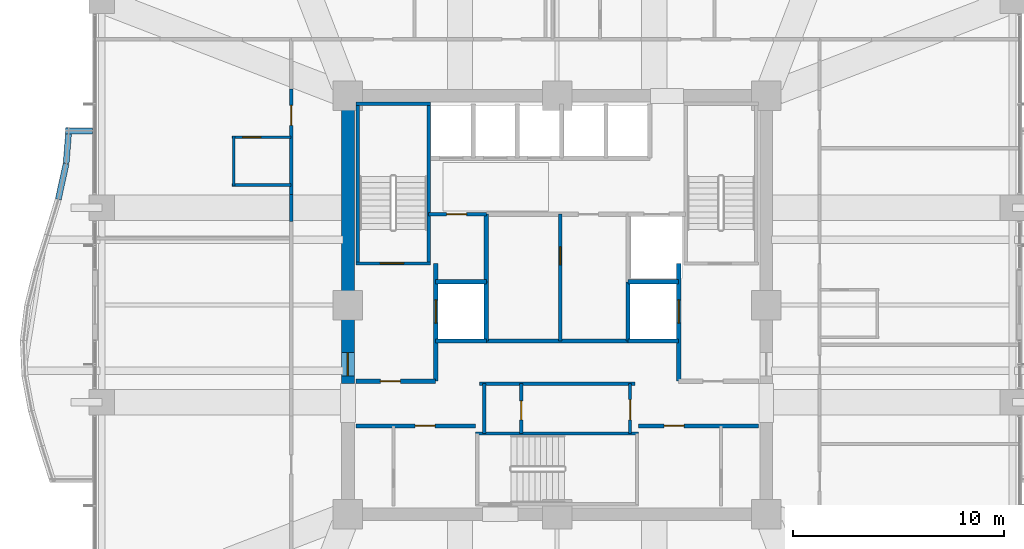
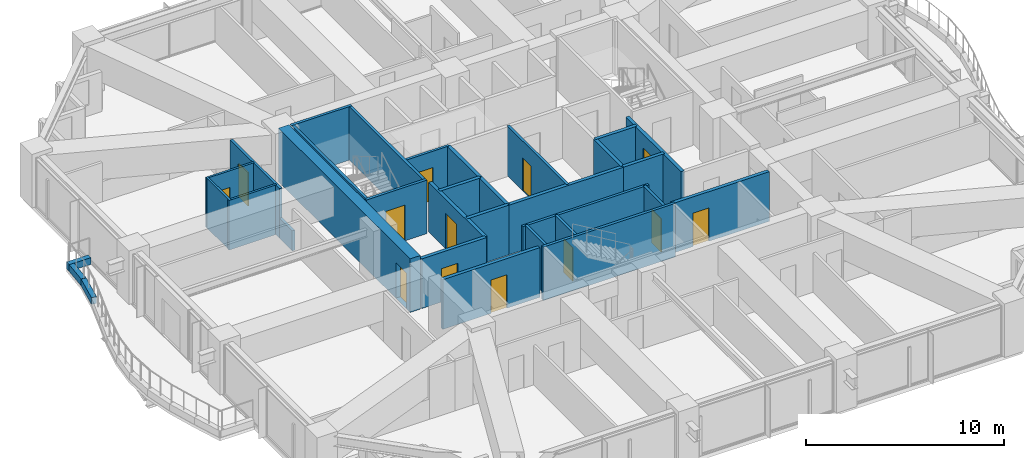
# One storey, part 34 of 39: 33 walls, 13 doors, 13 openings.
"""IFC4 building model written with IfcOpenShell, lengths in metres."""

from ifc_helpers import new_model, si_unit, direction, frame, frame_2d, origin, place, context, subcontext, project, spatial, rectangle, extrude, material, layer, layer_set, type_object, element, fill, save


model = new_model("IFC4")

# Units and contexts
model_context = context("Model", 3, precision=1e-05, world=origin(), true_north=direction((0.0, 1.0)))
body_context = subcontext(model_context, "Body", "Model", "MODEL_VIEW")
ifc_project = project(units=[si_unit("LENGTHUNIT", "METRE"), si_unit("AREAUNIT", "SQUARE_METRE"), si_unit("VOLUMEUNIT", "CUBIC_METRE"), si_unit("PLANEANGLEUNIT", "RADIAN"), si_unit("MASSUNIT", "GRAM", prefix="KILO")], contexts=[model_context])

# Site, building, storey
site_placement = place(None, origin())
site = spatial("IfcSite", under=ifc_project, at=site_placement, CompositionType="ELEMENT")
building_placement = place(site_placement, origin())
building = spatial("IfcBuilding", under=site, at=building_placement, Name="Kolvaren Belvedere", CompositionType="ELEMENT")
storey_placement = place(building_placement, frame((0.0, 0.0, 40.300048828125)))
storey = spatial("IfcBuildingStorey", under=building, at=storey_placement, Name="L11", CompositionType="ELEMENT", Elevation=40.300048828125)

# Wall, opening, door
ifc_material_1 = material(Name="Concrete C60/75", Category="concrete")
ifc_layer_1 = layer(ifc_material_1, 0.60009765625)
ifc_layer_set_1 = layer_set([ifc_layer_1], Name="Concrete C60/75")
wall_type_1 = type_object("IfcWallType", Name="CW-CORE-600", PredefinedType="SHEAR", material=ifc_layer_set_1)
wall_1_placement = place(storey_placement, frame((-9.89990234375, -3.699951171875, 0.0), z_axis=(0.0, 0.0, 1.0), x_axis=(0.0, 1.0, 0.0)))
wall_1 = element("IfcWall", 1, at=wall_1_placement, inside=storey, type_object=wall_type_1, Name="L11 West Core Shear Wall 2", PredefinedType="SHEAR", context=body_context, shape_type="SweptSolid", body=[
    extrude(rectangle(XDim=13.300048828125, YDim=0.60009765625, at=frame_2d((6.64990234375, 0.0))), origin(), (0.0, 0.0, 1.0), 3.300048828125),
])
opening_1_placement = place(wall_1_placement, frame((0.35009765625, 0.0, 0.0)))
opening_1 = element("IfcOpeningElement", 2, at=opening_1_placement, cuts=wall_1, Name="Opening D-FD90", PredefinedType="OPENING", context=body_context, shape_type="SweptSolid", body=[
    extrude(rectangle(XDim=1.10009765625, YDim=2.199951171875, at=frame_2d((0.550048828125, 1.10009765625))), frame((0.0, 0.31005859375, 0.0), z_axis=(0.0, -1.0, 0.0), x_axis=(1.0, 0.0, 0.0)), (0.0, 0.0, 1.0), 0.6201171875),
])
ifc_material_2 = material(Name="Painted hollow stainless steel", Category="steel")
door_type_1 = type_object("IfcDoorType", Name="DR-FD90-1100", OperationType="NOTDEFINED", PredefinedType="DOOR", material=ifc_material_2)
door_1_placement = place(opening_1_placement, origin())
door_1 = element("IfcDoor", 3, at=door_1_placement, inside=storey, type_object=door_type_1, Name="L11 West Firefighting Lobby Fire Door", OperationType="SINGLE_SWING_LEFT", OverallHeight=2.199951171875, OverallWidth=1.10009765625, PredefinedType="DOOR", context=body_context, shape_type="SweptSolid", body=[
    extrude(rectangle(XDim=1.10009765625, YDim=2.199951171875, at=frame_2d((0.550048828125, 1.10009765625))), frame((0.0, 0.02490234375, 0.0), z_axis=(0.0, -1.0, 0.0), x_axis=(1.0, 0.0, 0.0)), (0.0, 0.0, 1.0), 0.050048828125),
])
fill(opening_1, door_1)

ifc_material_3 = material(Name="Concrete C50/60", Category="concrete")
ifc_layer_2 = layer(ifc_material_3, 0.159912109375)
ifc_layer_set_2 = layer_set([ifc_layer_2], Name="Concrete C50/60")
wall_type_2 = type_object("IfcWallType", Name="CW-STAIR-160", PredefinedType="SHEAR", material=ifc_layer_set_2)
wall_2_placement = place(storey_placement, frame((-9.52001953125, 1.969970703125, 0.0), z_axis=(0.0, 0.0, 1.0), x_axis=(1.0, 0.0, 0.0)))
wall_2 = element("IfcWall", 4, at=wall_2_placement, inside=storey, type_object=wall_type_2, Name="L11 Stair ST-1 South Shear Wall", PredefinedType="SHEAR", context=body_context, shape_type="SweptSolid", body=[
    extrude(rectangle(XDim=3.52001953125, YDim=0.159912109375, at=frame_2d((1.760009765625, 0.0))), origin(), (0.0, 0.0, 1.0), 3.300048828125),
])
opening_2_placement = place(wall_2_placement, frame((1.14990234375, 0.0, 0.0)))
opening_2 = element("IfcOpeningElement", 5, at=opening_2_placement, cuts=wall_2, Name="Opening D-FD90", PredefinedType="OPENING", context=body_context, shape_type="SweptSolid", body=[
    extrude(rectangle(XDim=1.10009765625, YDim=2.199951171875, at=frame_2d((0.550048828125, 1.10009765625))), frame((0.0, 0.08984375, 0.0), z_axis=(0.0, -1.0, 0.0), x_axis=(1.0, 0.0, 0.0)), (0.0, 0.0, 1.0), 0.179931640625),
])
door_2_placement = place(opening_2_placement, origin())
door_2 = element("IfcDoor", 6, at=door_2_placement, inside=storey, type_object=door_type_1, Name="L11 Stair ST-1 Fire Door", OperationType="SINGLE_SWING_LEFT", OverallHeight=2.199951171875, OverallWidth=1.10009765625, PredefinedType="DOOR", context=body_context, shape_type="SweptSolid", body=[
    extrude(rectangle(XDim=1.10009765625, YDim=2.199951171875, at=frame_2d((0.550048828125, 1.10009765625))), frame((0.0, 0.02490234375, 0.0), z_axis=(0.0, -1.0, 0.0), x_axis=(1.0, 0.0, 0.0)), (0.0, 0.0, 1.0), 0.050048828125),
])
fill(opening_2, door_2)

# Walls
wall_3_placement = place(storey_placement, frame((-9.52001953125, 9.530029296875, 0.0), z_axis=(0.0, 0.0, 1.0), x_axis=(1.0, 0.0, 0.0)))
element("IfcWall", 7, at=wall_3_placement, inside=storey, type_object=wall_type_2, Name="L11 Stair ST-1 North Shear Wall", PredefinedType="SHEAR", context=body_context, shape_type="SweptSolid", body=[
    extrude(rectangle(XDim=3.52001953125, YDim=0.159912109375, at=frame_2d((1.760009765625, 0.0))), origin(), (0.0, 0.0, 1.0), 3.300048828125),
])
for number, where, z_axis, x_axis, name in (
    (8, (-9.429931640625, 1.969970703125, 0.0), (0.0, 0.0, 1.0), (0.0, 1.0, 0.0), "L11 Stair ST-1 West Shear Wall"),
    (9, (-6.080078125, 1.969970703125, 0.0), (0.0, 0.0, 1.0), (0.0, 1.0, 0.0), "L11 Stair ST-1 East Shear Wall"),
):
    element("IfcWall", number, at=place(storey_placement, frame(where, z_axis=z_axis, x_axis=x_axis)), inside=storey, type_object=wall_type_2, Name=name, PredefinedType="SHEAR", context=body_context, shape_type="SweptSolid", body=[
        extrude(rectangle(XDim=7.56005859375, YDim=0.159912109375, at=frame_2d((3.780029296875, 0.0))), origin(), (0.0, 0.0, 1.0), 3.300048828125),
    ])
wall_4_placement = place(storey_placement, frame((-3.860107421875, -6.080078125, 0.0), z_axis=(0.0, 0.0, 1.0), x_axis=(1.0, 0.0, 0.0)))
element("IfcWall", 10, at=wall_4_placement, inside=storey, type_object=wall_type_2, Name="L11 Stair ST-3 North Shear Wall", PredefinedType="SHEAR", context=body_context, shape_type="SweptSolid", body=[
    extrude(rectangle(XDim=7.72021484375, YDim=0.159912109375, at=frame_2d((3.860107421875, 0.0))), origin(), (0.0, 0.0, 1.0), 3.300048828125),
])
ifc_material_4 = material(Name="Gypsum fire-rated partition assembly", Category="gypsum")
ifc_layer_3 = layer(ifc_material_4, 0.14990234375)
ifc_layer_set_3 = layer_set([ifc_layer_3], Name="Gypsum fire-rated partition assembly")
wall_type_3 = type_object("IfcWallType", Name="WL-CORR-150", PredefinedType="PARTITIONING", material=ifc_layer_set_3)
wall_5_placement = place(storey_placement, frame((-12.580078125, 3.9580078125, 0.0), z_axis=(0.0, 0.0, 1.0), x_axis=(0.0, 1.0, 0.0)))
element("IfcWall", 11, at=wall_5_placement, inside=storey, type_object=wall_type_3, Name="L11 West Corridor Wall", PredefinedType="PARTITIONING", context=body_context, shape_type="SweptSolid", body=[
    extrude(rectangle(XDim=1.283935546875, YDim=0.14990234375, at=frame_2d((0.64208984375, 0.0))), origin(), (0.0, 0.0, 1.0), 1.244873046875),
])

# Wall, opening, door
wall_6_placement = place(storey_placement, frame((-12.580078125, 5.241943359375, 0.0), z_axis=(0.0, 0.0, 1.0), x_axis=(0.0, 1.0, 0.0)))
wall_6 = element("IfcWall", 12, at=wall_6_placement, inside=storey, type_object=wall_type_3, Name="L11 West Corridor Wall", PredefinedType="PARTITIONING", context=body_context, shape_type="SweptSolid", body=[
    extrude(rectangle(XDim=4.9736328125, YDim=0.14990234375, at=frame_2d((2.48681640625, 0.0))), origin(), (0.0, 0.0, 1.0), 3.06005859375),
])
opening_3_placement = place(wall_6_placement, frame((3.260009765625, 0.0, 0.0)))
opening_3 = element("IfcOpeningElement", 13, at=opening_3_placement, cuts=wall_6, Name="Opening D-FD60", PredefinedType="OPENING", context=body_context, shape_type="SweptSolid", body=[
    extrude(rectangle(XDim=0.949951171875, YDim=2.06005859375, at=frame_2d((0.47509765625, 1.030029296875))), frame((0.0, 0.0849609375, 0.0), z_axis=(0.0, -1.0, 0.0), x_axis=(1.0, 0.0, 0.0)), (0.0, 0.0, 1.0), 0.169921875),
])
ifc_material_5 = material(Name="Acoustic white-oak fire door leaf", Category="timber")
door_type_2 = type_object("IfcDoorType", Name="DR-FD60-950", OperationType="NOTDEFINED", PredefinedType="DOOR", material=ifc_material_5)
door_3_placement = place(opening_3_placement, origin())
door_3 = element("IfcDoor", 14, at=door_3_placement, inside=storey, type_object=door_type_2, Name="L11 King Guest Room 1111 Entry Door", OperationType="SINGLE_SWING_LEFT", OverallHeight=2.06005859375, OverallWidth=0.949951171875, PredefinedType="DOOR", context=body_context, shape_type="SweptSolid", body=[
    extrude(rectangle(XDim=0.949951171875, YDim=2.06005859375, at=frame_2d((0.47509765625, 1.030029296875))), frame((0.0, 0.02490234375, 0.0), z_axis=(0.0, -1.0, 0.0), x_axis=(1.0, 0.0, 0.0)), (0.0, 0.0, 1.0), 0.050048828125),
])
fill(opening_3, door_3)

ifc_material_6 = material(Name="Gypsum acoustic partition assembly", Category="gypsum")
ifc_layer_4 = layer(ifc_material_6, 0.14990234375)
ifc_layer_set_4 = layer_set([ifc_layer_4], Name="Gypsum acoustic partition assembly")
wall_type_4 = type_object("IfcWallType", Name="WL-PART-150", PredefinedType="PARTITIONING", material=ifc_layer_set_4)
wall_7_placement = place(storey_placement, frame((0.14990234375, -1.699951171875, 0.0), z_axis=(0.0, 0.0, 1.0), x_axis=(0.0, 1.0, 0.0)))
wall_7 = element("IfcWall", 15, at=wall_7_placement, inside=storey, type_object=wall_type_4, Name="L11 Central Core V-Divider", PredefinedType="PARTITIONING", context=body_context, shape_type="SweptSolid", body=[
    extrude(rectangle(XDim=6.0, YDim=0.14990234375, at=frame_2d((3.0, 0.0))), origin(), (0.0, 0.0, 1.0), 3.06005859375),
])
opening_4_placement = place(wall_7_placement, frame((3.60009765625, 0.0, 0.0)))
opening_4 = element("IfcOpeningElement", 16, at=opening_4_placement, cuts=wall_7, Name="Opening D-INT85", PredefinedType="OPENING", context=body_context, shape_type="SweptSolid", body=[
    extrude(rectangle(XDim=0.85009765625, YDim=2.030029296875, at=frame_2d((0.425048828125, 1.01513671875))), frame((0.0, 0.0849609375, 0.0), z_axis=(0.0, -1.0, 0.0), x_axis=(1.0, 0.0, 0.0)), (0.0, 0.0, 1.0), 0.169921875),
])
ifc_material_7 = material(Name="Stained Pacific white oak", Category="timber")
door_type_3 = type_object("IfcDoorType", Name="DR-INT-850", OperationType="NOTDEFINED", PredefinedType="DOOR", material=ifc_material_7)
door_4_placement = place(opening_4_placement, origin())
door_4 = element("IfcDoor", 17, at=door_4_placement, inside=storey, type_object=door_type_3, Name="L11 Central Linen Door", OperationType="SINGLE_SWING_RIGHT", OverallHeight=2.030029296875, OverallWidth=0.85009765625, PredefinedType="DOOR", context=body_context, shape_type="SweptSolid", body=[
    extrude(rectangle(XDim=0.85009765625, YDim=2.030029296875, at=frame_2d((0.425048828125, 1.01513671875))), frame((0.0, 0.02490234375, 0.0), z_axis=(0.0, -1.0, 0.0), x_axis=(1.0, 0.0, 0.0)), (0.0, 0.0, 1.0), 0.050048828125),
])
fill(opening_4, door_4)

# Wall
wall_8_placement = place(storey_placement, frame((-3.679931640625, -3.719970703125, 0.0), z_axis=(0.0, 0.0, 1.0), x_axis=(1.0, 0.0, 0.0)))
element("IfcWall", 18, at=wall_8_placement, inside=storey, type_object=wall_type_4, Name="L11 South Core Service North Wall", PredefinedType="PARTITIONING", context=body_context, shape_type="SweptSolid", body=[
    extrude(rectangle(XDim=7.35986328125, YDim=0.14990234375, at=frame_2d((3.679931640625, 0.0))), origin(), (0.0, 0.0, 1.0), 3.06005859375),
])

# Wall, opening, door
wall_9_placement = place(storey_placement, frame((3.449951171875, -6.080078125, 0.0), z_axis=(0.0, 0.0, 1.0), x_axis=(0.0, 1.0, 0.0)))
wall_9 = element("IfcWall", 19, at=wall_9_placement, inside=storey, type_object=wall_type_4, Name="L11 South Core Service East Wall", PredefinedType="PARTITIONING", context=body_context, shape_type="SweptSolid", body=[
    extrude(rectangle(XDim=2.360107421875, YDim=0.14990234375, at=frame_2d((1.18017578125, 0.0))), origin(), (0.0, 0.0, 1.0), 3.06005859375),
])
opening_5_placement = place(wall_9_placement, frame((0.64990234375, 0.0, 0.0)))
opening_5 = element("IfcOpeningElement", 20, at=opening_5_placement, cuts=wall_9, Name="Opening D-FD60", PredefinedType="OPENING", context=body_context, shape_type="SweptSolid", body=[
    extrude(rectangle(XDim=0.949951171875, YDim=2.06005859375, at=frame_2d((0.47509765625, 1.030029296875))), frame((0.0, 0.0849609375, 0.0), z_axis=(0.0, -1.0, 0.0), x_axis=(1.0, 0.0, 0.0)), (0.0, 0.0, 1.0), 0.169921875),
])
door_5_placement = place(opening_5_placement, origin())
door_5 = element("IfcDoor", 21, at=door_5_placement, inside=storey, type_object=door_type_2, Name="L11 Core Service Room Door", OperationType="SINGLE_SWING_LEFT", OverallHeight=2.06005859375, OverallWidth=0.949951171875, PredefinedType="DOOR", context=body_context, shape_type="SweptSolid", body=[
    extrude(rectangle(XDim=0.949951171875, YDim=2.06005859375, at=frame_2d((0.47509765625, 1.030029296875))), frame((0.0, 0.02490234375, 0.0), z_axis=(0.0, -1.0, 0.0), x_axis=(1.0, 0.0, 0.0)), (0.0, 0.0, 1.0), 0.050048828125),
])
fill(opening_5, door_5)

# Wall
wall_10_placement = place(storey_placement, frame((-3.449951171875, -6.080078125, 0.0), z_axis=(0.0, 0.0, 1.0), x_axis=(0.0, 1.0, 0.0)))
element("IfcWall", 22, at=wall_10_placement, inside=storey, type_object=wall_type_4, Name="L11 South Core Service West Wall", PredefinedType="PARTITIONING", context=body_context, shape_type="SweptSolid", body=[
    extrude(rectangle(XDim=2.360107421875, YDim=0.14990234375, at=frame_2d((1.18017578125, 0.0))), origin(), (0.0, 0.0, 1.0), 3.06005859375),
])

# Wall, opening, door
wall_11_placement = place(storey_placement, frame((-1.699951171875, -6.080078125, 0.0), z_axis=(0.0, 0.0, 1.0), x_axis=(0.0, 1.0, 0.0)))
wall_11 = element("IfcWall", 23, at=wall_11_placement, inside=storey, type_object=wall_type_4, Name="L11 Core Service Divider", PredefinedType="PARTITIONING", context=body_context, shape_type="SweptSolid", body=[
    extrude(rectangle(XDim=2.360107421875, YDim=0.14990234375, at=frame_2d((1.18017578125, 0.0))), origin(), (0.0, 0.0, 1.0), 3.06005859375),
])
opening_6_placement = place(wall_11_placement, frame((0.64990234375, 0.0, 0.0)))
opening_6 = element("IfcOpeningElement", 24, at=opening_6_placement, cuts=wall_11, Name="Opening D-INT90", PredefinedType="OPENING", context=body_context, shape_type="SweptSolid", body=[
    extrude(rectangle(XDim=0.89990234375, YDim=2.06005859375, at=frame_2d((0.449951171875, 1.030029296875))), frame((0.0, 0.0849609375, 0.0), z_axis=(0.0, -1.0, 0.0), x_axis=(1.0, 0.0, 0.0)), (0.0, 0.0, 1.0), 0.169921875),
])
ifc_material_8 = material(Name="Stained Pacific white oak", Category="timber")
door_type_4 = type_object("IfcDoorType", Name="DR-INT-900", OperationType="NOTDEFINED", PredefinedType="DOOR", material=ifc_material_8)
door_6_placement = place(opening_6_placement, origin())
door_6 = element("IfcDoor", 25, at=door_6_placement, inside=storey, type_object=door_type_4, Name="L11 Telecom Inner Door", OperationType="SINGLE_SWING_RIGHT", OverallHeight=2.06005859375, OverallWidth=0.89990234375, PredefinedType="DOOR", context=body_context, shape_type="SweptSolid", body=[
    extrude(rectangle(XDim=0.89990234375, YDim=2.06005859375, at=frame_2d((0.449951171875, 1.030029296875))), frame((0.0, 0.02490234375, 0.0), z_axis=(0.0, -1.0, 0.0), x_axis=(1.0, 0.0, 0.0)), (0.0, 0.0, 1.0), 0.050048828125),
])
fill(opening_6, door_6)

wall_12_placement = place(storey_placement, frame((-6.080078125, 4.300048828125, 0.0), z_axis=(0.0, 0.0, 1.0), x_axis=(1.0, 0.0, 0.0)))
wall_12 = element("IfcWall", 26, at=wall_12_placement, inside=storey, type_object=wall_type_4, Name="L11 NW Service Room North Wall", PredefinedType="PARTITIONING", context=body_context, shape_type="SweptSolid", body=[
    extrude(rectangle(XDim=2.72998046875, YDim=0.14990234375, at=frame_2d((1.364990234375, 0.0))), origin(), (0.0, 0.0, 1.0), 3.06005859375),
])
opening_7_placement = place(wall_12_placement, frame((0.85009765625, 0.0, 0.0)))
opening_7 = element("IfcOpeningElement", 27, at=opening_7_placement, cuts=wall_12, Name="Opening D-FD60", PredefinedType="OPENING", context=body_context, shape_type="SweptSolid", body=[
    extrude(rectangle(XDim=0.949951171875, YDim=2.06005859375, at=frame_2d((0.47509765625, 1.030029296875))), frame((0.0, 0.0849609375, 0.0), z_axis=(0.0, -1.0, 0.0), x_axis=(1.0, 0.0, 0.0)), (0.0, 0.0, 1.0), 0.169921875),
])
door_7_placement = place(opening_7_placement, origin())
door_7 = element("IfcDoor", 28, at=door_7_placement, inside=storey, type_object=door_type_2, Name="L11 NW Core Store Door", OperationType="SINGLE_SWING_RIGHT", OverallHeight=2.06005859375, OverallWidth=0.949951171875, PredefinedType="DOOR", context=body_context, shape_type="SweptSolid", body=[
    extrude(rectangle(XDim=0.949951171875, YDim=2.06005859375, at=frame_2d((0.47509765625, 1.030029296875))), frame((0.0, 0.02490234375, 0.0), z_axis=(0.0, -1.0, 0.0), x_axis=(1.0, 0.0, 0.0)), (0.0, 0.0, 1.0), 0.050048828125),
])
fill(opening_7, door_7)

# Walls
ifc_material_9 = material(Name="Precast concrete C40/50", Category="concrete")
ifc_layer_5 = layer(ifc_material_9, 0.300048828125)
ifc_layer_set_5 = layer_set([ifc_layer_5], Name="Precast concrete C40/50")
wall_type_5 = type_object("IfcWallType", Name="WL-PLANTER-300", PredefinedType="PARAPET", material=ifc_layer_set_5)
wall_13_placement = place(storey_placement, frame((-23.1005859375, 8.38720703125, -0.06005859375), z_axis=(0.0, 0.0, 1.0), x_axis=(-0.079244268248, -0.99685522818, 0.0)))
element("IfcWall", 29, at=wall_13_placement, inside=storey, type_object=wall_type_5, Name="L11 Precast Structural Planter Wall BAL-W-1", PredefinedType="PARAPET", context=body_context, shape_type="SweptSolid", body=[
    extrude(rectangle(XDim=1.685302734375, YDim=0.280029296875, at=frame_2d((0.8427734375, 0.0))), origin(), (0.0, 0.0, 1.0), 0.419921875),
])
wall_14_placement = place(storey_placement, frame((-23.2373046875, 6.685791015625, -0.06005859375), z_axis=(0.0, 0.0, 1.0), x_axis=(-0.213802724545, -0.976876857632, 0.0)))
element("IfcWall", 30, at=wall_14_placement, inside=storey, type_object=wall_type_5, Name="L11 Precast Structural Planter Wall BAL-W-2", PredefinedType="PARAPET", context=body_context, shape_type="SweptSolid", body=[
    extrude(rectangle(XDim=1.7197265625, YDim=0.280029296875, at=frame_2d((0.85986328125, 0.0))), origin(), (0.0, 0.0, 1.0), 0.419921875),
])
wall_15_placement = place(storey_placement, frame((-22.0, 8.239990234375, -0.06005859375), z_axis=(0.0, 0.0, 1.0), x_axis=(-1.0, 0.0, 0.0)))
element("IfcWall", 31, at=wall_15_placement, inside=storey, type_object=wall_type_5, Name="L11 Precast Structural Planter Wall BAL-W-22", PredefinedType="PARAPET", context=body_context, shape_type="SweptSolid", body=[
    extrude(rectangle(XDim=1.260009765625, YDim=0.280029296875, at=frame_2d((0.6298828125, 0.0))), origin(), (0.0, 0.0, 1.0), 0.419921875),
])

# Wall, opening, door
ifc_material_10 = material(Name="Concrete C50/60", Category="concrete")
ifc_layer_6 = layer(ifc_material_10, 0.199951171875)
ifc_layer_set_6 = layer_set([ifc_layer_6], Name="Concrete C50/60")
wall_type_6 = type_object("IfcWallType", Name="WL-SHAFT-200", PredefinedType="SOLIDWALL", material=ifc_layer_set_6)
wall_16_placement = place(storey_placement, frame((-9.52001953125, -3.60009765625, 0.0), z_axis=(0.0, 0.0, 1.0), x_axis=(1.0, 0.0, 0.0)))
wall_16 = element("IfcWall", 32, at=wall_16_placement, inside=storey, type_object=wall_type_6, Name="L11 West FSAE Lobby South Wall", PredefinedType="SOLIDWALL", context=body_context, shape_type="SweptSolid", body=[
    extrude(rectangle(XDim=3.77001953125, YDim=0.199951171875, at=frame_2d((1.885009765625, 0.0))), origin(), (0.0, 0.0, 1.0), 3.06005859375),
])
opening_8_placement = place(wall_16_placement, frame((1.14990234375, 0.0, 0.0)))
opening_8 = element("IfcOpeningElement", 33, at=opening_8_placement, cuts=wall_16, Name="Opening D-FD60", PredefinedType="OPENING", context=body_context, shape_type="SweptSolid", body=[
    extrude(rectangle(XDim=0.949951171875, YDim=2.06005859375, at=frame_2d((0.47509765625, 1.030029296875))), frame((0.0, 0.10986328125, 0.0), z_axis=(0.0, -1.0, 0.0), x_axis=(1.0, 0.0, 0.0)), (0.0, 0.0, 1.0), 0.219970703125),
])
door_8_placement = place(opening_8_placement, origin())
door_8 = element("IfcDoor", 34, at=door_8_placement, inside=storey, type_object=door_type_2, Name="L11 SW Lift Lobby Fire Door", OperationType="SINGLE_SWING_LEFT", OverallHeight=2.06005859375, OverallWidth=0.949951171875, PredefinedType="DOOR", context=body_context, shape_type="SweptSolid", body=[
    extrude(rectangle(XDim=0.949951171875, YDim=2.06005859375, at=frame_2d((0.47509765625, 1.030029296875))), frame((0.0, 0.02490234375, 0.0), z_axis=(0.0, -1.0, 0.0), x_axis=(1.0, 0.0, 0.0)), (0.0, 0.0, 1.0), 0.050048828125),
])
fill(opening_8, door_8)

wall_17_placement = place(storey_placement, frame((-5.75, -3.60009765625, 0.0), z_axis=(0.0, 0.0, 1.0), x_axis=(0.0, 1.0, 0.0)))
wall_17 = element("IfcWall", 35, at=wall_17_placement, inside=storey, type_object=wall_type_6, Name="L11 FSAE FS1 Landing Wall", PredefinedType="SOLIDWALL", context=body_context, shape_type="SweptSolid", body=[
    extrude(rectangle(XDim=5.570068359375, YDim=0.199951171875, at=frame_2d((2.78515625, 0.0))), origin(), (0.0, 0.0, 1.0), 3.06005859375),
])
opening_9_placement = place(wall_17_placement, frame((2.75, 0.0, 0.0)))
opening_9 = element("IfcOpeningElement", 36, at=opening_9_placement, cuts=wall_17, Name="Opening LD-11", PredefinedType="OPENING", context=body_context, shape_type="SweptSolid", body=[
    extrude(rectangle(XDim=1.10009765625, YDim=2.199951171875, at=frame_2d((0.550048828125, 1.10009765625))), frame((0.0, 0.10986328125, 0.0), z_axis=(0.0, -1.0, 0.0), x_axis=(1.0, 0.0, 0.0)), (0.0, 0.0, 1.0), 0.219970703125),
])
ifc_material_11 = material(Name="Brushed stainless steel", Category="steel")
door_type_5 = type_object("IfcDoorType", Name="DR-LIFT-1100", OperationType="DOUBLE_DOOR_SLIDING", PredefinedType="DOOR", material=ifc_material_11)
door_9_placement = place(opening_9_placement, origin())
door_9 = element("IfcDoor", 37, at=door_9_placement, inside=storey, type_object=door_type_5, Name="L11 Firefighting Lift FS1 Landing Door", OperationType="DOUBLE_DOOR_SLIDING", OverallHeight=2.199951171875, OverallWidth=1.10009765625, PredefinedType="DOOR", context=body_context, shape_type="SweptSolid", body=[
    extrude(rectangle(XDim=1.10009765625, YDim=2.199951171875, at=frame_2d((0.550048828125, 1.10009765625))), frame((0.0, 0.02490234375, 0.0), z_axis=(0.0, -1.0, 0.0), x_axis=(1.0, 0.0, 0.0)), (0.0, 0.0, 1.0), 0.050048828125),
])
fill(opening_9, door_9)

# Walls
wall_18_placement = place(storey_placement, frame((-3.35009765625, -1.699951171875, 0.0), z_axis=(0.0, 0.0, 1.0), x_axis=(0.0, 1.0, 0.0)))
element("IfcWall", 38, at=wall_18_placement, inside=storey, type_object=wall_type_6, Name="L11 FSAE FS1 Back Wall", PredefinedType="SOLIDWALL", context=body_context, shape_type="SweptSolid", body=[
    extrude(rectangle(XDim=2.800048828125, YDim=0.199951171875, at=frame_2d((1.39990234375, 0.0))), origin(), (0.0, 0.0, 1.0), 3.06005859375),
])
for number, where, z_axis, x_axis, name in (
    (39, (-5.75, -1.699951171875, 0.0), (0.0, 0.0, 1.0), (1.0, 0.0, 0.0), "L11 FSAE FS1 South Wall"),
    (40, (-5.75, 1.10009765625, 0.0), (0.0, 0.0, 1.0), (1.0, 0.0, 0.0), "L11 FSAE FS1 North Wall"),
):
    element("IfcWall", number, at=place(storey_placement, frame(where, z_axis=z_axis, x_axis=x_axis)), inside=storey, type_object=wall_type_6, Name=name, PredefinedType="SOLIDWALL", context=body_context, shape_type="SweptSolid", body=[
        extrude(rectangle(XDim=2.39990234375, YDim=0.199951171875, at=frame_2d((1.199951171875, 0.0))), origin(), (0.0, 0.0, 1.0), 3.06005859375),
    ])

# Wall, opening, door
wall_19_placement = place(storey_placement, frame((5.75, -3.60009765625, 0.0), z_axis=(0.0, 0.0, 1.0), x_axis=(0.0, 1.0, 0.0)))
wall_19 = element("IfcWall", 41, at=wall_19_placement, inside=storey, type_object=wall_type_6, Name="L11 FSAE FS2 Landing Wall", PredefinedType="SOLIDWALL", context=body_context, shape_type="SweptSolid", body=[
    extrude(rectangle(XDim=5.570068359375, YDim=0.199951171875, at=frame_2d((2.78515625, 0.0))), origin(), (0.0, 0.0, 1.0), 3.06005859375),
])
opening_10_placement = place(wall_19_placement, frame((2.75, 0.0, 0.0)))
opening_10 = element("IfcOpeningElement", 42, at=opening_10_placement, cuts=wall_19, Name="Opening LD-11", PredefinedType="OPENING", context=body_context, shape_type="SweptSolid", body=[
    extrude(rectangle(XDim=1.10009765625, YDim=2.199951171875, at=frame_2d((0.550048828125, 1.10009765625))), frame((0.0, 0.10986328125, 0.0), z_axis=(0.0, -1.0, 0.0), x_axis=(1.0, 0.0, 0.0)), (0.0, 0.0, 1.0), 0.219970703125),
])
door_10_placement = place(opening_10_placement, origin())
door_10 = element("IfcDoor", 43, at=door_10_placement, inside=storey, type_object=door_type_5, Name="L11 Firefighting Lift FS2 Landing Door", OperationType="DOUBLE_DOOR_SLIDING", OverallHeight=2.199951171875, OverallWidth=1.10009765625, PredefinedType="DOOR", context=body_context, shape_type="SweptSolid", body=[
    extrude(rectangle(XDim=1.10009765625, YDim=2.199951171875, at=frame_2d((0.550048828125, 1.10009765625))), frame((0.0, 0.02490234375, 0.0), z_axis=(0.0, -1.0, 0.0), x_axis=(1.0, 0.0, 0.0)), (0.0, 0.0, 1.0), 0.050048828125),
])
fill(opening_10, door_10)

# Walls
wall_20_placement = place(storey_placement, frame((3.35009765625, -1.699951171875, 0.0), z_axis=(0.0, 0.0, 1.0), x_axis=(0.0, 1.0, 0.0)))
element("IfcWall", 44, at=wall_20_placement, inside=storey, type_object=wall_type_6, Name="L11 FSAE FS2 Back Wall", PredefinedType="SOLIDWALL", context=body_context, shape_type="SweptSolid", body=[
    extrude(rectangle(XDim=2.800048828125, YDim=0.199951171875, at=frame_2d((1.39990234375, 0.0))), origin(), (0.0, 0.0, 1.0), 3.06005859375),
])
for number, where, z_axis, x_axis, name in (
    (45, (3.35009765625, -1.699951171875, 0.0), (0.0, 0.0, 1.0), (1.0, 0.0, 0.0), "L11 FSAE FS2 South Wall"),
    (46, (3.35009765625, 1.10009765625, 0.0), (0.0, 0.0, 1.0), (1.0, 0.0, 0.0), "L11 FSAE FS2 North Wall"),
):
    element("IfcWall", number, at=place(storey_placement, frame(where, z_axis=z_axis, x_axis=x_axis)), inside=storey, type_object=wall_type_6, Name=name, PredefinedType="SOLIDWALL", context=body_context, shape_type="SweptSolid", body=[
        extrude(rectangle(XDim=2.39990234375, YDim=0.199951171875, at=frame_2d((1.199951171875, 0.0))), origin(), (0.0, 0.0, 1.0), 3.06005859375),
    ])

# Wall, opening, door
wall_21_placement = place(storey_placement, frame((-9.52001953125, -5.719970703125, 0.0), z_axis=(0.0, 0.0, 1.0), x_axis=(1.0, 0.0, 0.0)))
wall_21 = element("IfcWall", 47, at=wall_21_placement, inside=storey, type_object=wall_type_6, Name="L11 SW Core Reserve Wall", PredefinedType="SOLIDWALL", context=body_context, shape_type="SweptSolid", body=[
    extrude(rectangle(XDim=5.659912109375, YDim=0.199951171875, at=frame_2d((2.830078125, 0.0))), origin(), (0.0, 0.0, 1.0), 3.06005859375),
])
opening_11_placement = place(wall_21_placement, frame((2.800048828125, 0.0, 0.0)))
opening_11 = element("IfcOpeningElement", 48, at=opening_11_placement, cuts=wall_21, Name="Opening D-FD60", PredefinedType="OPENING", context=body_context, shape_type="SweptSolid", body=[
    extrude(rectangle(XDim=0.949951171875, YDim=2.06005859375, at=frame_2d((0.47509765625, 1.030029296875))), frame((0.0, 0.10986328125, 0.0), z_axis=(0.0, -1.0, 0.0), x_axis=(1.0, 0.0, 0.0)), (0.0, 0.0, 1.0), 0.219970703125),
])
door_11_placement = place(opening_11_placement, origin())
door_11 = element("IfcDoor", 49, at=door_11_placement, inside=storey, type_object=door_type_2, Name="L11 SW Cellar Door", OperationType="SINGLE_SWING_LEFT", OverallHeight=2.06005859375, OverallWidth=0.949951171875, PredefinedType="DOOR", context=body_context, shape_type="SweptSolid", body=[
    extrude(rectangle(XDim=0.949951171875, YDim=2.06005859375, at=frame_2d((0.47509765625, 1.030029296875))), frame((0.0, 0.02490234375, 0.0), z_axis=(0.0, -1.0, 0.0), x_axis=(1.0, 0.0, 0.0)), (0.0, 0.0, 1.0), 0.050048828125),
])
fill(opening_11, door_11)

wall_22_placement = place(storey_placement, frame((3.860107421875, -5.719970703125, 0.0), z_axis=(0.0, 0.0, 1.0), x_axis=(1.0, 0.0, 0.0)))
wall_22 = element("IfcWall", 50, at=wall_22_placement, inside=storey, type_object=wall_type_6, Name="L11 SE Core Distribution Wall", PredefinedType="SOLIDWALL", context=body_context, shape_type="SweptSolid", body=[
    extrude(rectangle(XDim=5.659912109375, YDim=0.199951171875, at=frame_2d((2.830078125, 0.0))), origin(), (0.0, 0.0, 1.0), 3.06005859375),
])
opening_12_placement = place(wall_22_placement, frame((1.199951171875, 0.0, 0.0)))
opening_12 = element("IfcOpeningElement", 51, at=opening_12_placement, cuts=wall_22, Name="Opening D-FD60", PredefinedType="OPENING", context=body_context, shape_type="SweptSolid", body=[
    extrude(rectangle(XDim=0.949951171875, YDim=2.06005859375, at=frame_2d((0.47509765625, 1.030029296875))), frame((0.0, 0.10986328125, 0.0), z_axis=(0.0, -1.0, 0.0), x_axis=(1.0, 0.0, 0.0)), (0.0, 0.0, 1.0), 0.219970703125),
])
door_12_placement = place(opening_12_placement, origin())
door_12 = element("IfcDoor", 52, at=door_12_placement, inside=storey, type_object=door_type_2, Name="L11 SE BMS Store Door", OperationType="SINGLE_SWING_RIGHT", OverallHeight=2.06005859375, OverallWidth=0.949951171875, PredefinedType="DOOR", context=body_context, shape_type="SweptSolid", body=[
    extrude(rectangle(XDim=0.949951171875, YDim=2.06005859375, at=frame_2d((0.47509765625, 1.030029296875))), frame((0.0, 0.02490234375, 0.0), z_axis=(0.0, -1.0, 0.0), x_axis=(1.0, 0.0, 0.0)), (0.0, 0.0, 1.0), 0.050048828125),
])
fill(opening_12, door_12)

# Walls
wall_23_placement = place(storey_placement, frame((-3.35009765625, -1.699951171875, 0.0), z_axis=(0.0, 0.0, 1.0), x_axis=(1.0, 0.0, 0.0)))
element("IfcWall", 53, at=wall_23_placement, inside=storey, type_object=wall_type_6, Name="L11 Central Core Room South Wall", PredefinedType="SOLIDWALL", context=body_context, shape_type="SweptSolid", body=[
    extrude(rectangle(XDim=6.7001953125, YDim=0.199951171875, at=frame_2d((3.35009765625, 0.0))), origin(), (0.0, 0.0, 1.0), 3.06005859375),
])
wall_24_placement = place(storey_placement, frame((-3.35009765625, 1.10009765625, 0.0), z_axis=(0.0, 0.0, 1.0), x_axis=(0.0, 1.0, 0.0)))
element("IfcWall", 54, at=wall_24_placement, inside=storey, type_object=wall_type_6, Name="L11 Central Core Room West Wall", PredefinedType="SOLIDWALL", context=body_context, shape_type="SweptSolid", body=[
    extrude(rectangle(XDim=3.199951171875, YDim=0.199951171875, at=frame_2d((1.60009765625, 0.0))), origin(), (0.0, 0.0, 1.0), 3.06005859375),
])

# Wall, opening, door
ifc_material_12 = material(Name="Moisture-resistant gypsum partition", Category="gypsum")
ifc_layer_7 = layer(ifc_material_12, 0.125)
ifc_layer_set_7 = layer_set([ifc_layer_7], Name="Moisture-resistant gypsum partition")
wall_type_7 = type_object("IfcWallType", Name="WL-WET-125", PredefinedType="PARTITIONING", material=ifc_layer_set_7)
wall_25_placement = place(storey_placement, frame((-15.385009765625, 7.93408203125, 0.0), z_axis=(0.0, 0.0, 1.0), x_axis=(1.0, 0.0, 0.0)))
wall_25 = element("IfcWall", 55, at=wall_25_placement, inside=storey, type_object=wall_type_7, Name="L11 Bathroom Partition PW-L11-BTH-11-N", PredefinedType="PARTITIONING", context=body_context, shape_type="SweptSolid", body=[
    extrude(rectangle(XDim=2.7900390625, YDim=0.125, at=frame_2d((1.39501953125, 0.0))), origin(), (0.0, 0.0, 1.0), 3.06005859375),
])
opening_13_placement = place(wall_25_placement, frame((0.5, 0.0, 0.0)))
opening_13 = element("IfcOpeningElement", 56, at=opening_13_placement, cuts=wall_25, Name="Opening D-BTH85", PredefinedType="OPENING", context=body_context, shape_type="SweptSolid", body=[
    extrude(rectangle(XDim=0.85009765625, YDim=2.030029296875, at=frame_2d((0.425048828125, 1.01513671875))), frame((0.0, 0.072509765625, 0.0), z_axis=(0.0, -1.0, 0.0), x_axis=(1.0, 0.0, 0.0)), (0.0, 0.0, 1.0), 0.14501953125),
])
ifc_material_13 = material(Name="Moisture-sealed Pacific white oak", Category="timber")
door_type_6 = type_object("IfcDoorType", Name="DR-BATH-850", OperationType="NOTDEFINED", PredefinedType="DOOR", material=ifc_material_13)
door_13_placement = place(opening_13_placement, origin())
door_13 = element("IfcDoor", 57, at=door_13_placement, inside=storey, type_object=door_type_6, Name="L11 En-Suite Bathroom 1111 Door", OperationType="SINGLE_SWING_RIGHT", OverallHeight=2.030029296875, OverallWidth=0.85009765625, PredefinedType="DOOR", context=body_context, shape_type="SweptSolid", body=[
    extrude(rectangle(XDim=0.85009765625, YDim=2.030029296875, at=frame_2d((0.425048828125, 1.01513671875))), frame((0.0, 0.02490234375, 0.0), z_axis=(0.0, -1.0, 0.0), x_axis=(1.0, 0.0, 0.0)), (0.0, 0.0, 1.0), 0.050048828125),
])
fill(opening_13, door_13)

# Walls
wall_26_placement = place(storey_placement, frame((-15.304931640625, 5.6240234375, 0.0), z_axis=(0.0, 0.0, 1.0), x_axis=(0.0, 1.0, 0.0)))
element("IfcWall", 58, at=wall_26_placement, inside=storey, type_object=wall_type_7, Name="L11 Bathroom Partition PW-L11-BTH-11-V", PredefinedType="PARTITIONING", context=body_context, shape_type="SweptSolid", body=[
    extrude(rectangle(XDim=2.369873046875, YDim=0.125, at=frame_2d((1.18505859375, 0.0))), origin(), (0.0, 0.0, 1.0), 3.06005859375),
])
wall_27_placement = place(storey_placement, frame((-15.385009765625, 5.68408203125, 0.0), z_axis=(0.0, 0.0, 1.0), x_axis=(1.0, 0.0, 0.0)))
element("IfcWall", 59, at=wall_27_placement, inside=storey, type_object=wall_type_7, Name="L11 Bathroom Partition PW-L11-BTH-11-S", PredefinedType="PARTITIONING", context=body_context, shape_type="SweptSolid", body=[
    extrude(rectangle(XDim=2.7900390625, YDim=0.125, at=frame_2d((1.39501953125, 0.0))), origin(), (0.0, 0.0, 1.0), 3.06005859375),
])

save(model, "model.ifc")
